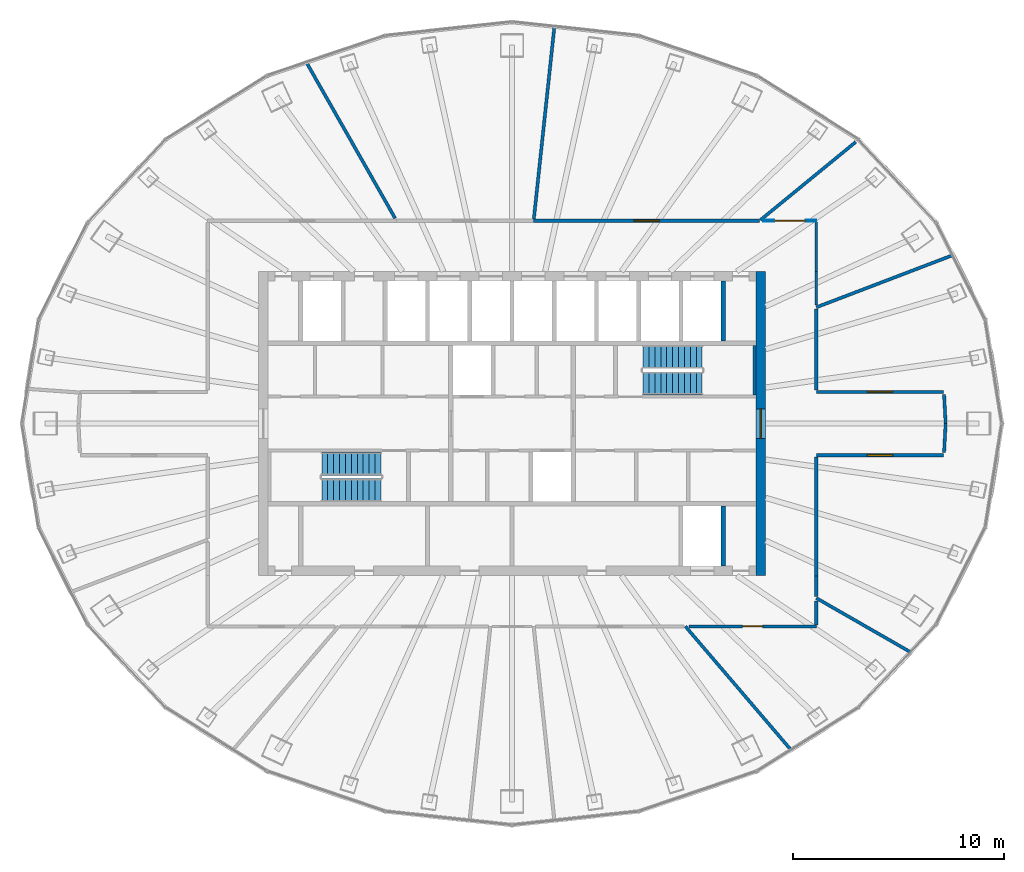
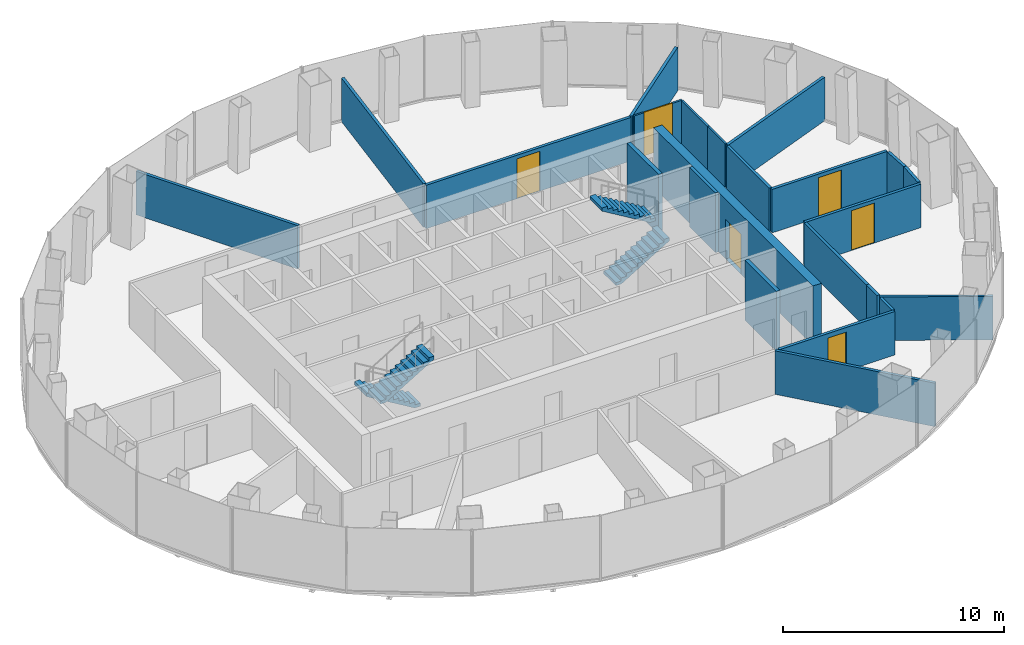
# One storey, part 10 of 11: 23 walls, 6 doors, 4 stair flights, 6 openings, 2 elements without a shape of their own.
"""IFC4 building model written with IfcOpenShell, lengths in metres."""

from ifc_helpers import new_model, si_unit, direction, frame, frame_2d, origin, place, context, subcontext, project, spatial, polyline, rectangle, outline, extrude, material, layer, layer_set, type_object, element, fill, aggregate, save


model = new_model("IFC4")

# Units and contexts
model_context = context("Model", 3, precision=1e-05, world=origin(), true_north=direction((0.0, 1.0)))
body_context = subcontext(model_context, "Body", "Model", "MODEL_VIEW")
ifc_project = project(units=[si_unit("LENGTHUNIT", "METRE"), si_unit("AREAUNIT", "SQUARE_METRE"), si_unit("VOLUMEUNIT", "CUBIC_METRE"), si_unit("PLANEANGLEUNIT", "RADIAN"), si_unit("MASSUNIT", "GRAM", prefix="KILO")], contexts=[model_context])

# Site, building, storey
site_placement = place(None, origin())
site = spatial("IfcSite", under=ifc_project, at=site_placement, CompositionType="ELEMENT")
building_placement = place(site_placement, origin())
building = spatial("IfcBuilding", under=site, at=building_placement, Name="Siaravel Broadcast Tower", CompositionType="ELEMENT")
storey_placement = place(building_placement, frame((0.0, 0.0, 183.0)))
storey = spatial("IfcBuildingStorey", under=building, at=storey_placement, Name="L44", CompositionType="ELEMENT", Elevation=183.0)

# Wall, opening, door
ifc_material_1 = material(Name="Concrete C60/75", Category="concrete")
ifc_layer_1 = layer(ifc_material_1, 0.449951171875)
ifc_layer_set_1 = layer_set([ifc_layer_1], Name="Concrete C60/75")
wall_type_1 = type_object("IfcWallType", Name="Core wall 450", PredefinedType="SHEAR", material=ifc_layer_set_1)
wall_1_placement = place(storey_placement, frame((11.77490234375, -7.199951171875, 0.0), z_axis=(0.0, 0.0, 1.0), x_axis=(0.0, 1.0, 0.0)))
wall_1 = element("IfcWall", 1, at=wall_1_placement, inside=storey, type_object=wall_type_1, Name="L44 core wall OE", PredefinedType="SHEAR", context=body_context, shape_type="SweptSolid", body=[
    extrude(rectangle(XDim=14.39990234375, YDim=0.449951171875, at=frame_2d((7.199951171875, 0.0))), origin(), (0.0, 0.0, 1.0), 3.300048828125),
])
opening_1_placement = place(wall_1_placement, frame((6.5, 0.0, 0.0)))
opening_1 = element("IfcOpeningElement", 2, at=opening_1_placement, cuts=wall_1, Name="Opening L44-DX-E", PredefinedType="OPENING", context=body_context, shape_type="SweptSolid", body=[
    extrude(rectangle(XDim=1.39990234375, YDim=2.199951171875, at=frame_2d((0.699951171875, 1.10009765625))), frame((0.0, 0.23486328125, 0.0), z_axis=(0.0, -1.0, 0.0), x_axis=(1.0, 0.0, 0.0)), (0.0, 0.0, 1.0), 0.469970703125),
])
ifc_material_2 = material(Name="Steel", Category="steel")
door_type_1 = type_object("IfcDoorType", Name="Core exit door 1400", OperationType="DOUBLE_DOOR_SINGLE_SWING", PredefinedType="DOOR", material=ifc_material_2)
door_1_placement = place(opening_1_placement, origin())
door_1 = element("IfcDoor", 3, at=door_1_placement, inside=storey, type_object=door_type_1, Name="L44 door DX-E", OperationType="DOUBLE_DOOR_SINGLE_SWING", OverallHeight=2.199951171875, OverallWidth=1.39990234375, PredefinedType="DOOR", context=body_context, shape_type="SweptSolid", body=[
    extrude(rectangle(XDim=1.39990234375, YDim=2.199951171875, at=frame_2d((0.699951171875, 1.10009765625))), frame((0.0, 0.02490234375, 0.0), z_axis=(0.0, -1.0, 0.0), x_axis=(1.0, 0.0, 0.0)), (0.0, 0.0, 1.0), 0.050048828125),
])
fill(opening_1, door_1)

ifc_material_3 = material(Name="Gypsum board partition", Category="gypsum")
ifc_layer_2 = layer(ifc_material_3, 0.14990234375)
ifc_layer_set_2 = layer_set([ifc_layer_2], Name="Gypsum board partition")
wall_type_2 = type_object("IfcWallType", Name="Corridor wall 150", PredefinedType="PARTITIONING", material=ifc_layer_set_2)
wall_2_placement = place(storey_placement, frame((11.719970703125, 9.60009765625, 0.0), z_axis=(0.0, 0.0, 1.0), x_axis=(-1.0, 0.0, 0.0)))
wall_2 = element("IfcWall", 4, at=wall_2_placement, inside=storey, type_object=wall_type_2, Name="L44 partition 1", PredefinedType="PARTITIONING", context=body_context, shape_type="SweptSolid", body=[
    extrude(rectangle(XDim=10.694580078125, YDim=0.14990234375, at=frame_2d((5.34716796875, 0.0))), origin(), (0.0, 0.0, 1.0), 2.39990234375),
])
opening_2_placement = place(wall_2_placement, frame((4.747314453125, 0.0, 0.0)))
opening_2 = element("IfcOpeningElement", 5, at=opening_2_placement, cuts=wall_2, Name="Opening L44-006", PredefinedType="OPENING", context=body_context, shape_type="SweptSolid", body=[
    extrude(rectangle(XDim=1.199951171875, YDim=2.199951171875, at=frame_2d((0.60009765625, 1.10009765625))), frame((0.0, 0.0849609375, 0.0), z_axis=(0.0, -1.0, 0.0), x_axis=(1.0, 0.0, 0.0)), (0.0, 0.0, 1.0), 0.169921875),
])
ifc_material_4 = material(Name="Timber veneer", Category="wood")
door_type_2 = type_object("IfcDoorType", Name="Office double door 1200", OperationType="DOUBLE_DOOR_SINGLE_SWING", PredefinedType="DOOR", material=ifc_material_4)
door_2_placement = place(opening_2_placement, origin())
door_2 = element("IfcDoor", 6, at=door_2_placement, inside=storey, type_object=door_type_2, Name="L44 door to Open plan office", OperationType="DOUBLE_DOOR_SINGLE_SWING", OverallHeight=2.199951171875, OverallWidth=1.199951171875, PredefinedType="DOOR", context=body_context, shape_type="SweptSolid", body=[
    extrude(rectangle(XDim=1.199951171875, YDim=2.199951171875, at=frame_2d((0.60009765625, 1.10009765625))), frame((0.0, 0.02490234375, 0.0), z_axis=(0.0, -1.0, 0.0), x_axis=(1.0, 0.0, 0.0)), (0.0, 0.0, 1.0), 0.050048828125),
])
fill(opening_2, door_2)

wall_3_placement = place(storey_placement, frame((8.37109375, -9.60009765625, 0.0), z_axis=(0.0, 0.0, 1.0), x_axis=(1.0, 0.0, 0.0)))
wall_3 = element("IfcWall", 7, at=wall_3_placement, inside=storey, type_object=wall_type_2, Name="L44 partition 15", PredefinedType="PARTITIONING", context=body_context, shape_type="SweptSolid", body=[
    extrude(rectangle(XDim=6.02880859375, YDim=0.14990234375, at=frame_2d((3.014404296875, 0.0))), origin(), (0.0, 0.0, 1.0), 2.39990234375),
])
opening_3_placement = place(wall_3_placement, frame((2.539306640625, 0.0, 0.0)))
opening_3 = element("IfcOpeningElement", 8, at=opening_3_placement, cuts=wall_3, Name="Opening L44-002", PredefinedType="OPENING", context=body_context, shape_type="SweptSolid", body=[
    extrude(rectangle(XDim=0.949951171875, YDim=2.14990234375, at=frame_2d((0.47509765625, 1.074951171875))), frame((0.0, 0.0849609375, 0.0), z_axis=(0.0, -1.0, 0.0), x_axis=(1.0, 0.0, 0.0)), (0.0, 0.0, 1.0), 0.169921875),
])
door_type_3 = type_object("IfcDoorType", Name="Office door 950", OperationType="SINGLE_SWING_LEFT", PredefinedType="DOOR", material=ifc_material_4)
door_3_placement = place(opening_3_placement, origin())
door_3 = element("IfcDoor", 9, at=door_3_placement, inside=storey, type_object=door_type_3, Name="L44 door to Office", OperationType="SINGLE_SWING_RIGHT", OverallHeight=2.14990234375, OverallWidth=0.949951171875, PredefinedType="DOOR", context=body_context, shape_type="SweptSolid", body=[
    extrude(rectangle(XDim=0.949951171875, YDim=2.14990234375, at=frame_2d((0.47509765625, 1.074951171875))), frame((0.0, 0.02490234375, 0.0), z_axis=(0.0, -1.0, 0.0), x_axis=(1.0, 0.0, 0.0)), (0.0, 0.0, 1.0), 0.050048828125),
])
fill(opening_3, door_3)

wall_4_placement = place(storey_placement, frame((14.39990234375, -1.5, 0.0), z_axis=(0.0, 0.0, 1.0), x_axis=(1.0, 0.0, 0.0)))
wall_4 = element("IfcWall", 10, at=wall_4_placement, inside=storey, type_object=wall_type_2, Name="L44 partition 18", PredefinedType="PARTITIONING", context=body_context, shape_type="SweptSolid", body=[
    extrude(rectangle(XDim=6.027587890625, YDim=0.14990234375, at=frame_2d((3.013671875, 0.0))), origin(), (0.0, 0.0, 1.0), 2.39990234375),
])
opening_4_placement = place(wall_4_placement, frame((2.413818359375, 0.0, 0.0)))
opening_4 = element("IfcOpeningElement", 11, at=opening_4_placement, cuts=wall_4, Name="Opening L44-003", PredefinedType="OPENING", context=body_context, shape_type="SweptSolid", body=[
    extrude(rectangle(XDim=1.199951171875, YDim=2.199951171875, at=frame_2d((0.60009765625, 1.10009765625))), frame((0.0, 0.0849609375, 0.0), z_axis=(0.0, -1.0, 0.0), x_axis=(1.0, 0.0, 0.0)), (0.0, 0.0, 1.0), 0.169921875),
])
door_4_placement = place(opening_4_placement, origin())
door_4 = element("IfcDoor", 12, at=door_4_placement, inside=storey, type_object=door_type_2, Name="L44 door to Open plan office", OperationType="DOUBLE_DOOR_SINGLE_SWING", OverallHeight=2.199951171875, OverallWidth=1.199951171875, PredefinedType="DOOR", context=body_context, shape_type="SweptSolid", body=[
    extrude(rectangle(XDim=1.199951171875, YDim=2.199951171875, at=frame_2d((0.60009765625, 1.10009765625))), frame((0.0, 0.02490234375, 0.0), z_axis=(0.0, -1.0, 0.0), x_axis=(1.0, 0.0, 0.0)), (0.0, 0.0, 1.0), 0.050048828125),
])
fill(opening_4, door_4)

wall_5_placement = place(storey_placement, frame((20.427490234375, 1.5, 0.0), z_axis=(0.0, 0.0, 1.0), x_axis=(-1.0, 0.0, 0.0)))
wall_5 = element("IfcWall", 13, at=wall_5_placement, inside=storey, type_object=wall_type_2, Name="L44 partition 19", PredefinedType="PARTITIONING", context=body_context, shape_type="SweptSolid", body=[
    extrude(rectangle(XDim=6.027587890625, YDim=0.14990234375, at=frame_2d((3.013671875, 0.0))), origin(), (0.0, 0.0, 1.0), 2.39990234375),
])
opening_5_placement = place(wall_5_placement, frame((2.413818359375, 0.0, 0.0)))
opening_5 = element("IfcOpeningElement", 14, at=opening_5_placement, cuts=wall_5, Name="Opening L44-004", PredefinedType="OPENING", context=body_context, shape_type="SweptSolid", body=[
    extrude(rectangle(XDim=1.199951171875, YDim=2.199951171875, at=frame_2d((0.60009765625, 1.10009765625))), frame((0.0, 0.0849609375, 0.0), z_axis=(0.0, -1.0, 0.0), x_axis=(1.0, 0.0, 0.0)), (0.0, 0.0, 1.0), 0.169921875),
])
door_5_placement = place(opening_5_placement, origin())
door_5 = element("IfcDoor", 15, at=door_5_placement, inside=storey, type_object=door_type_2, Name="L44 door to Open plan office", OperationType="DOUBLE_DOOR_SINGLE_SWING", OverallHeight=2.199951171875, OverallWidth=1.199951171875, PredefinedType="DOOR", context=body_context, shape_type="SweptSolid", body=[
    extrude(rectangle(XDim=1.199951171875, YDim=2.199951171875, at=frame_2d((0.60009765625, 1.10009765625))), frame((0.0, 0.02490234375, 0.0), z_axis=(0.0, -1.0, 0.0), x_axis=(1.0, 0.0, 0.0)), (0.0, 0.0, 1.0), 0.050048828125),
])
fill(opening_5, door_5)

# Walls
wall_6_placement = place(storey_placement, frame((14.39990234375, -7.2119140625, 0.0), z_axis=(0.0, 0.0, 1.0), x_axis=(0.0, 1.0, 0.0)))
element("IfcWall", 16, at=wall_6_placement, inside=storey, type_object=wall_type_2, Name="L44 partition 22", PredefinedType="PARTITIONING", context=body_context, shape_type="SweptSolid", body=[
    extrude(rectangle(XDim=5.635009765625, YDim=0.14990234375, at=frame_2d((2.8173828125, 0.0))), origin(), (0.0, 0.0, 1.0), 2.39990234375),
])
wall_7_placement = place(storey_placement, frame((14.39990234375, 1.576904296875, 0.0), z_axis=(0.0, 0.0, 1.0), x_axis=(0.0, 1.0, 0.0)))
element("IfcWall", 17, at=wall_7_placement, inside=storey, type_object=wall_type_2, Name="L44 partition 25", PredefinedType="PARTITIONING", context=body_context, shape_type="SweptSolid", body=[
    extrude(rectangle(XDim=3.851318359375, YDim=0.14990234375, at=frame_2d((1.92578125, 0.0))), origin(), (0.0, 0.0, 1.0), 2.39990234375),
])
wall_8_placement = place(storey_placement, frame((20.44775390625, -1.373779296875, 0.0), z_axis=(0.0, 0.0, 1.0), x_axis=(0.053238767, 0.998581811, 0.0)))
element("IfcWall", 18, at=wall_8_placement, inside=storey, type_object=wall_type_2, Name="L44 partition 35", PredefinedType="PARTITIONING", context=body_context, shape_type="SweptSolid", body=[
    extrude(rectangle(XDim=1.375732421875, YDim=0.14990234375, at=frame_2d((0.68798828125, 0.0))), origin(), (0.0, 0.0, 1.0), 2.39990234375),
])
wall_9_placement = place(storey_placement, frame((20.5205078125, 0.010009765625, 0.0), z_axis=(0.0, 0.0, 1.0), x_axis=(-0.053271904, 0.998580044, 0.0)))
element("IfcWall", 19, at=wall_9_placement, inside=storey, type_object=wall_type_2, Name="L44 partition 36", PredefinedType="PARTITIONING", context=body_context, shape_type="SweptSolid", body=[
    extrude(rectangle(XDim=1.36572265625, YDim=0.14990234375, at=frame_2d((0.682861328125, 0.0))), origin(), (0.0, 0.0, 1.0), 2.39990234375),
])
wall_10_placement = place(storey_placement, frame((14.39990234375, -9.52294921875, 0.0), z_axis=(0.0, 0.0, 1.0), x_axis=(0.0, 1.0, 0.0)))
element("IfcWall", 20, at=wall_10_placement, inside=storey, type_object=wall_type_2, Name="L44 partition 38", PredefinedType="PARTITIONING", context=body_context, shape_type="SweptSolid", body=[
    extrude(rectangle(XDim=1.132568359375, YDim=0.14990234375, at=frame_2d((0.56640625, 0.0))), origin(), (0.0, 0.0, 1.0), 2.39990234375),
])
wall_11_placement = place(storey_placement, frame((14.39990234375, -8.19189453125, 0.0), z_axis=(0.0, 0.0, 1.0), x_axis=(0.0, 1.0, 0.0)))
element("IfcWall", 21, at=wall_11_placement, inside=storey, type_object=wall_type_2, Name="L44 partition 39", PredefinedType="PARTITIONING", context=body_context, shape_type="SweptSolid", body=[
    extrude(rectangle(XDim=0.97900390625, YDim=0.14990234375, at=frame_2d((0.489501953125, 0.0))), origin(), (0.0, 0.0, 1.0), 2.39990234375),
])

# Wall, opening, door
ifc_material_5 = material(Name="Glazed aluminium partition", Category="aluminium")
ifc_layer_3 = layer(ifc_material_5, 0.10009765625)
ifc_layer_set_3 = layer_set([ifc_layer_3], Name="Glazed aluminium partition")
wall_type_3 = type_object("IfcWallType", Name="Glazed meeting room partition 100", PredefinedType="PARTITIONING", material=ifc_layer_set_3)
wall_12_placement = place(storey_placement, frame((14.39990234375, 9.60009765625, 0.0), z_axis=(0.0, 0.0, 1.0), x_axis=(-1.0, 0.0, 0.0)))
wall_12 = element("IfcWall", 22, at=wall_12_placement, inside=storey, type_object=wall_type_3, Name="L44 partition 26", PredefinedType="PARTITIONING", context=body_context, shape_type="SweptSolid", body=[
    extrude(rectangle(XDim=2.49853515625, YDim=0.10009765625, at=frame_2d((1.249267578125, 0.0))), origin(), (0.0, 0.0, 1.0), 2.39990234375),
])
opening_6_placement = place(wall_12_placement, frame((0.499267578125, 0.0, 0.0)))
opening_6 = element("IfcOpeningElement", 23, at=opening_6_placement, cuts=wall_12, Name="Opening L44-005", PredefinedType="OPENING", context=body_context, shape_type="SweptSolid", body=[
    extrude(rectangle(XDim=1.5, YDim=2.39990234375, at=frame_2d((0.75, 1.199951171875))), frame((0.0, 0.06005859375, 0.0), z_axis=(0.0, -1.0, 0.0), x_axis=(1.0, 0.0, 0.0)), (0.0, 0.0, 1.0), 0.1201171875),
])
door_type_4 = type_object("IfcDoorType", Name="Conference double door 1500", OperationType="DOUBLE_DOOR_SINGLE_SWING", PredefinedType="DOOR", material=ifc_material_4)
door_6_placement = place(opening_6_placement, origin())
door_6 = element("IfcDoor", 24, at=door_6_placement, inside=storey, type_object=door_type_4, Name="L44 door to Boardroom", OperationType="DOUBLE_DOOR_SINGLE_SWING", OverallHeight=2.39990234375, OverallWidth=1.5, PredefinedType="DOOR", context=body_context, shape_type="SweptSolid", body=[
    extrude(rectangle(XDim=1.5, YDim=2.39990234375, at=frame_2d((0.75, 1.199951171875))), frame((0.0, 0.02490234375, 0.0), z_axis=(0.0, -1.0, 0.0), x_axis=(1.0, 0.0, 0.0)), (0.0, 0.0, 1.0), 0.050048828125),
])
fill(opening_6, door_6)

# Walls
wall_13_placement = place(storey_placement, frame((14.39990234375, 7.18798828125, 0.0), z_axis=(0.0, 0.0, 1.0), x_axis=(0.0, 1.0, 0.0)))
element("IfcWall", 25, at=wall_13_placement, inside=storey, type_object=wall_type_3, Name="L44 partition 30", PredefinedType="PARTITIONING", context=body_context, shape_type="SweptSolid", body=[
    extrude(rectangle(XDim=2.360107421875, YDim=0.10009765625, at=frame_2d((1.18017578125, 0.0))), origin(), (0.0, 0.0, 1.0), 2.39990234375),
])
wall_14_placement = place(storey_placement, frame((14.39990234375, 5.6015625, 0.0), z_axis=(0.0, 0.0, 1.0), x_axis=(0.0, 1.0, 0.0)))
element("IfcWall", 26, at=wall_14_placement, inside=storey, type_object=wall_type_3, Name="L44 partition 33", PredefinedType="PARTITIONING", context=body_context, shape_type="SweptSolid", body=[
    extrude(rectangle(XDim=1.58544921875, YDim=0.10009765625, at=frame_2d((0.792724609375, 0.0))), origin(), (0.0, 0.0, 1.0), 2.39990234375),
])
ifc_layer_4 = layer(ifc_material_3, 0.14990234375)
ifc_layer_set_4 = layer_set([ifc_layer_4], Name="Gypsum board partition")
wall_type_4 = type_object("IfcWallType", Name="Room partition 150", PredefinedType="PARTITIONING", material=ifc_layer_set_4)
wall_15_placement = place(storey_placement, frame((2.00439453125, 18.76611328125, 0.0), z_axis=(0.0, 0.0, 1.0), x_axis=(-0.106208417, -0.99434389, 0.0)))
element("IfcWall", 27, at=wall_15_placement, inside=storey, type_object=wall_type_4, Name="L44 partition 4", PredefinedType="PARTITIONING", context=body_context, shape_type="SweptSolid", body=[
    extrude(rectangle(XDim=9.1328125, YDim=0.14990234375, at=frame_2d((4.56640625, 0.0))), origin(), (0.0, 0.0, 1.0), 2.39990234375),
])
wall_16_placement = place(storey_placement, frame((-9.7216796875, 17.076904296875, 0.0), z_axis=(0.0, 0.0, 1.0), x_axis=(0.494732537, -0.86904529, 0.0)))
element("IfcWall", 28, at=wall_16_placement, inside=storey, type_object=wall_type_4, Name="L44 partition 6", PredefinedType="PARTITIONING", context=body_context, shape_type="SweptSolid", body=[
    extrude(rectangle(XDim=8.47265625, YDim=0.14990234375, at=frame_2d((4.236328125, 0.0))), origin(), (0.0, 0.0, 1.0), 2.39990234375),
])
wall_17_placement = place(storey_placement, frame((13.195068359375, -15.435791015625, 0.0), z_axis=(0.0, 0.0, 1.0), x_axis=(-0.64979567, 0.760108931, 0.0)))
element("IfcWall", 29, at=wall_17_placement, inside=storey, type_object=wall_type_4, Name="L44 partition 8", PredefinedType="PARTITIONING", context=body_context, shape_type="SweptSolid", body=[
    extrude(rectangle(XDim=7.677490234375, YDim=0.14990234375, at=frame_2d((3.8388671875, 0.0))), origin(), (0.0, 0.0, 1.0), 2.39990234375),
])
wall_18_placement = place(storey_placement, frame((20.86181640625, 7.968505859375, 0.0), z_axis=(0.0, 0.0, 1.0), x_axis=(-0.934170905, -0.356825897, 0.0)))
element("IfcWall", 30, at=wall_18_placement, inside=storey, type_object=wall_type_4, Name="L44 partition 12", PredefinedType="PARTITIONING", context=body_context, shape_type="SweptSolid", body=[
    extrude(rectangle(XDim=6.917236328125, YDim=0.14990234375, at=frame_2d((3.45849609375, 0.0))), origin(), (0.0, 0.0, 1.0), 2.39990234375),
])
wall_19_placement = place(storey_placement, frame((16.27001953125, 13.3271484375, 0.0), z_axis=(0.0, 0.0, 1.0), x_axis=(-0.773587881, -0.633689033, 0.0)))
element("IfcWall", 31, at=wall_19_placement, inside=storey, type_object=wall_type_4, Name="L44 partition 20", PredefinedType="PARTITIONING", context=body_context, shape_type="SweptSolid", body=[
    extrude(rectangle(XDim=5.832275390625, YDim=0.14990234375, at=frame_2d((2.916015625, 0.0))), origin(), (0.0, 0.0, 1.0), 2.39990234375),
])
wall_20_placement = place(storey_placement, frame((18.853759765625, -10.8134765625, 0.0), z_axis=(0.0, 0.0, 1.0), x_axis=(-0.867454914, 0.497515801, 0.0)))
element("IfcWall", 32, at=wall_20_placement, inside=storey, type_object=wall_type_4, Name="L44 partition 23", PredefinedType="PARTITIONING", context=body_context, shape_type="SweptSolid", body=[
    extrude(rectangle(XDim=5.13427734375, YDim=0.14990234375, at=frame_2d((2.567138671875, 0.0))), origin(), (0.0, 0.0, 1.0), 2.39990234375),
])
ifc_layer_5 = layer(ifc_material_1, 0.14990234375)
ifc_layer_set_5 = layer_set([ifc_layer_5], Name="Concrete C60/75")
wall_type_5 = type_object("IfcWallType", Name="Shaft wall 150", PredefinedType="SHEAR", material=ifc_layer_set_5)
wall_21_placement = place(storey_placement, frame((11.47509765625, 1.35009765625, 0.0), z_axis=(0.0, 0.0, 1.0), x_axis=(0.0, 1.0, 0.0)))
element("IfcWall", 33, at=wall_21_placement, inside=storey, type_object=wall_type_5, Name="L44 core wall ST2E", PredefinedType="SHEAR", context=body_context, shape_type="SweptSolid", body=[
    extrude(rectangle(XDim=2.349853515625, YDim=0.14990234375, at=frame_2d((1.1748046875, 0.0))), origin(), (0.0, 0.0, 1.0), 3.300048828125),
])
ifc_layer_6 = layer(ifc_material_1, 0.199951171875)
ifc_layer_set_6 = layer_set([ifc_layer_6], Name="Concrete C60/75")
wall_type_6 = type_object("IfcWallType", Name="Shaft wall 200", PredefinedType="SHEAR", material=ifc_layer_set_6)
for number, where, z_axis, x_axis, name in (
    (34, (10.0, -6.75, 0.0), (0.0, 0.0, 1.0), (0.0, 1.0, 0.0), "L44 core wall SWS10"),
    (35, (10.0, 3.89990234375, 0.0), (0.0, 0.0, 1.0), (0.0, 1.0, 0.0), "L44 core wall SWN10"),
):
    element("IfcWall", number, at=place(storey_placement, frame(where, z_axis=z_axis, x_axis=x_axis)), inside=storey, type_object=wall_type_6, Name=name, PredefinedType="SHEAR", context=body_context, shape_type="SweptSolid", body=[
        extrude(rectangle(XDim=2.85009765625, YDim=0.199951171875, at=frame_2d((1.425048828125, 0.0))), origin(), (0.0, 0.0, 1.0), 3.300048828125),
    ])

# Stair, stair flights
ifc_material_6 = material(Name="Concrete C40/50", Category="concrete")
stair_type = type_object("IfcStairType", Name="Core exit stair", PredefinedType="HALF_TURN_STAIR", material=ifc_material_6)
stair_1_placement = place(storey_placement, origin())
stair_1 = element("IfcStair", 36, at=stair_1_placement, inside=storey, type_object=stair_type, Name="L44 Exit stair ST-1", PredefinedType="HALF_TURN_STAIR")
stair_flight_type = type_object("IfcStairFlightType", Name="Stair flight 1100", PredefinedType="STRAIGHT", material=ifc_material_6)
stair_flight_1_placement = place(storey_placement, frame((-6.199951171875, -1.89990234375, 0.0), z_axis=(0.0, 0.0, 1.0), x_axis=(-1.0, 0.0, 0.0)))
stair_flight_1 = element("IfcStairFlight", 37, at=stair_flight_1_placement, type_object=stair_flight_type, Name="ST-1 flight 1", NumberOfRisers=11, NumberOfTreads=10, PredefinedType="STRAIGHT", RiserHeight=0.1681818, TreadLength=0.28, context=body_context, shape_type="SweptSolid", body=[
    extrude(outline(polyline([(0.0, 0.0), (0.0, 0.168212890625), (0.280029296875, 0.168212890625), (0.280029296875, 0.33642578125), (0.56005859375, 0.33642578125), (0.56005859375, 0.504638671875), (0.840087890625, 0.504638671875), (0.840087890625, 0.672607421875), (1.1201171875, 0.672607421875), (1.1201171875, 0.8408203125), (1.39990234375, 0.8408203125), (1.39990234375, 1.009033203125), (1.679931640625, 1.009033203125), (1.679931640625, 1.17724609375), (1.9599609375, 1.17724609375), (1.9599609375, 1.345458984375), (2.239990234375, 1.345458984375), (2.239990234375, 1.513671875), (2.52001953125, 1.513671875), (2.52001953125, 1.681884765625), (2.800048828125, 1.681884765625), (2.800048828125, 1.85009765625), (2.800048828125, 1.5068359375), (0.291015625, 0.0), (0.0, 0.0)])), frame((0.0, 0.550048828125, 0.0), z_axis=(0.0, -1.0, 0.0), x_axis=(1.0, 0.0, 0.0)), (0.0, 0.0, 1.0), 1.10009765625),
])
stair_flight_2_placement = place(storey_placement, frame((-9.0, -3.14990234375, 1.85009765625), z_axis=(0.0, 0.0, 1.0), x_axis=(1.0, 0.0, 0.0)))
stair_flight_2 = element("IfcStairFlight", 38, at=stair_flight_2_placement, type_object=stair_flight_type, Name="ST-1 flight 2", NumberOfRisers=11, NumberOfTreads=10, PredefinedType="STRAIGHT", RiserHeight=0.1681818, TreadLength=0.28, context=body_context, shape_type="SweptSolid", body=[
    extrude(outline(polyline([(0.0, 0.0), (0.0, 0.168212890625), (0.280029296875, 0.168212890625), (0.280029296875, 0.33642578125), (0.56005859375, 0.33642578125), (0.56005859375, 0.504638671875), (0.840087890625, 0.504638671875), (0.840087890625, 0.672607421875), (1.1201171875, 0.672607421875), (1.1201171875, 0.8408203125), (1.39990234375, 0.8408203125), (1.39990234375, 1.009033203125), (1.679931640625, 1.009033203125), (1.679931640625, 1.17724609375), (1.9599609375, 1.17724609375), (1.9599609375, 1.345458984375), (2.239990234375, 1.345458984375), (2.239990234375, 1.513671875), (2.52001953125, 1.513671875), (2.52001953125, 1.681884765625), (2.800048828125, 1.681884765625), (2.800048828125, 1.85009765625), (2.800048828125, 1.5068359375), (0.291015625, 0.0), (0.0, 0.0)])), frame((0.0, 0.550048828125, 0.0), z_axis=(0.0, -1.0, 0.0), x_axis=(1.0, 0.0, 0.0)), (0.0, 0.0, 1.0), 1.10009765625),
])
aggregate(stair_1, [stair_flight_1, stair_flight_2])

stair_2_placement = place(storey_placement, origin())
stair_2 = element("IfcStair", 39, at=stair_2_placement, inside=storey, type_object=stair_type, Name="L44 Exit stair ST-2", PredefinedType="HALF_TURN_STAIR")
stair_flight_3_placement = place(storey_placement, frame((6.199951171875, 1.89990234375, 0.0), z_axis=(0.0, 0.0, 1.0), x_axis=(1.0, 0.0, 0.0)))
stair_flight_3 = element("IfcStairFlight", 40, at=stair_flight_3_placement, type_object=stair_flight_type, Name="ST-2 flight 1", NumberOfRisers=11, NumberOfTreads=10, PredefinedType="STRAIGHT", RiserHeight=0.1681818, TreadLength=0.28, context=body_context, shape_type="SweptSolid", body=[
    extrude(outline(polyline([(0.0, 0.0), (0.0, 0.168212890625), (0.280029296875, 0.168212890625), (0.280029296875, 0.33642578125), (0.56005859375, 0.33642578125), (0.56005859375, 0.504638671875), (0.840087890625, 0.504638671875), (0.840087890625, 0.672607421875), (1.1201171875, 0.672607421875), (1.1201171875, 0.8408203125), (1.39990234375, 0.8408203125), (1.39990234375, 1.009033203125), (1.679931640625, 1.009033203125), (1.679931640625, 1.17724609375), (1.9599609375, 1.17724609375), (1.9599609375, 1.345458984375), (2.239990234375, 1.345458984375), (2.239990234375, 1.513671875), (2.52001953125, 1.513671875), (2.52001953125, 1.681884765625), (2.800048828125, 1.681884765625), (2.800048828125, 1.85009765625), (2.800048828125, 1.5068359375), (0.291015625, 0.0), (0.0, 0.0)])), frame((0.0, 0.550048828125, 0.0), z_axis=(0.0, -1.0, 0.0), x_axis=(1.0, 0.0, 0.0)), (0.0, 0.0, 1.0), 1.10009765625),
])
stair_flight_4_placement = place(storey_placement, frame((9.0, 3.14990234375, 1.85009765625), z_axis=(0.0, 0.0, 1.0), x_axis=(-1.0, 0.0, 0.0)))
stair_flight_4 = element("IfcStairFlight", 41, at=stair_flight_4_placement, type_object=stair_flight_type, Name="ST-2 flight 2", NumberOfRisers=11, NumberOfTreads=10, PredefinedType="STRAIGHT", RiserHeight=0.1681818, TreadLength=0.28, context=body_context, shape_type="SweptSolid", body=[
    extrude(outline(polyline([(0.0, 0.0), (0.0, 0.168212890625), (0.280029296875, 0.168212890625), (0.280029296875, 0.33642578125), (0.56005859375, 0.33642578125), (0.56005859375, 0.504638671875), (0.840087890625, 0.504638671875), (0.840087890625, 0.672607421875), (1.1201171875, 0.672607421875), (1.1201171875, 0.8408203125), (1.39990234375, 0.8408203125), (1.39990234375, 1.009033203125), (1.679931640625, 1.009033203125), (1.679931640625, 1.17724609375), (1.9599609375, 1.17724609375), (1.9599609375, 1.345458984375), (2.239990234375, 1.345458984375), (2.239990234375, 1.513671875), (2.52001953125, 1.513671875), (2.52001953125, 1.681884765625), (2.800048828125, 1.681884765625), (2.800048828125, 1.85009765625), (2.800048828125, 1.5068359375), (0.291015625, 0.0), (0.0, 0.0)])), frame((0.0, 0.550048828125, 0.0), z_axis=(0.0, -1.0, 0.0), x_axis=(1.0, 0.0, 0.0)), (0.0, 0.0, 1.0), 1.10009765625),
])
aggregate(stair_2, [stair_flight_3, stair_flight_4])

save(model, "model.ifc")
